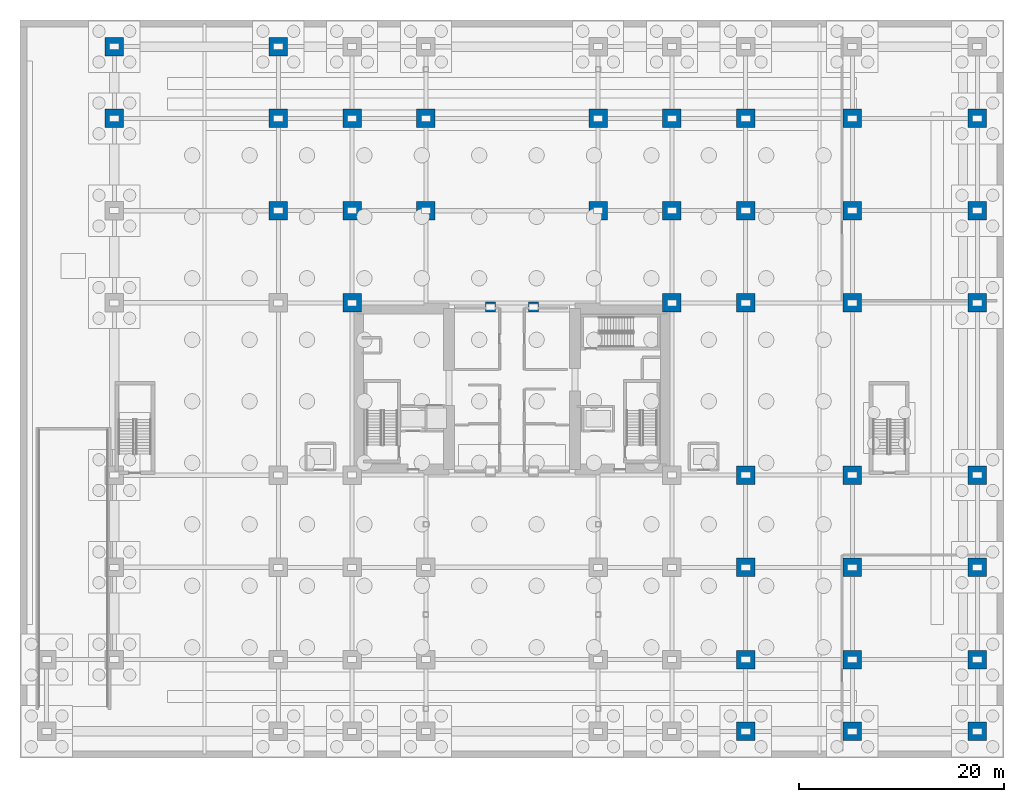
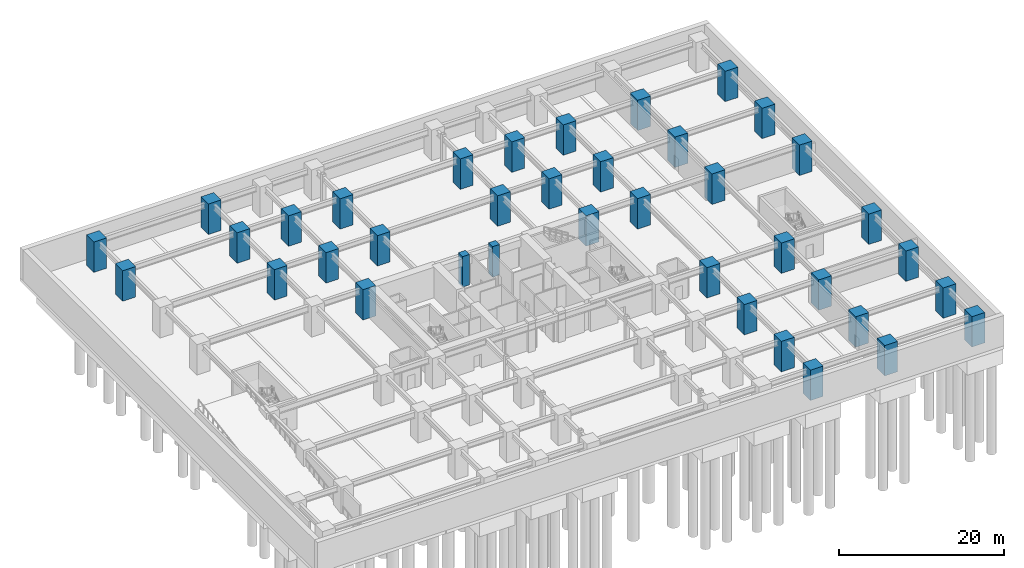
# One storey, part 4 of 23: 38 columns.
"""IFC4 building model written with IfcOpenShell, lengths in metres."""

from ifc_helpers import new_model, si_unit, direction, frame, origin, origin_2d, place, context, subcontext, project, spatial, rectangle, extrude, material, material_profile, profile_set, type_object, element, save


model = new_model("IFC4")

# Units and contexts
model_context = context("Model", 3, precision=1e-05, world=origin(), true_north=direction((0.0, 1.0)))
body_context = subcontext(model_context, "Body", "Model", "MODEL_VIEW")
ifc_project = project(units=[si_unit("LENGTHUNIT", "METRE"), si_unit("AREAUNIT", "SQUARE_METRE"), si_unit("VOLUMEUNIT", "CUBIC_METRE"), si_unit("PLANEANGLEUNIT", "RADIAN"), si_unit("MASSUNIT", "GRAM", prefix="KILO")], contexts=[model_context])

# Site, building, storey
site_placement = place(None, origin())
site = spatial("IfcSite", under=ifc_project, at=site_placement, CompositionType="ELEMENT")
building_placement = place(site_placement, origin())
building = spatial("IfcBuilding", under=site, at=building_placement, Name="Kiyonajd Concourse Tower", CompositionType="ELEMENT")
storey_placement = place(building_placement, frame((0.0, 0.0, -9.0)))
storey = spatial("IfcBuildingStorey", under=building, at=storey_placement, Name="B2", CompositionType="ELEMENT", Elevation=-9.0)

# Columns
ifc_material_1 = material(Name="Concrete C80/95", Category="concrete")
ifc_material_profile_1 = material_profile(ifc_material_1, rectangle(XDim=1.800048828125, YDim=1.800048828125, at=origin_2d()), Name="RC-1800x1800")
ifc_profile_set_1 = profile_set([ifc_material_profile_1], Name="Concrete C80/95")
column_type_1 = type_object("IfcColumnType", Name="CL-MEGA-1800", PredefinedType="COLUMN", material=ifc_profile_set_1)
for number, where, z_axis, x_axis, name in (
    (1, (9.199951171875, 62.39990234375, 0.0), (0.0, 0.0, 1.0), (1.0, 0.0, 0.0), "B2 Podium Mega Column"),
    (2, (9.199951171875, 69.39990234375, 0.0), (0.0, 0.0, 1.0), (1.0, 0.0, 0.0), "B2 Podium Mega Column"),
    (3, (25.199951171875, 53.39990234375, 0.0), (0.0, 0.0, 1.0), (1.0, 0.0, 0.0), "B2 Podium Mega Column"),
    (4, (25.199951171875, 62.39990234375, 0.0), (0.0, 0.0, 1.0), (1.0, 0.0, 0.0), "B2 Podium Mega Column"),
    (5, (25.199951171875, 69.39990234375, 0.0), (0.0, 0.0, 1.0), (1.0, 0.0, 0.0), "B2 Podium Mega Column"),
    (6, (32.39990234375, 44.39990234375, 0.0), (0.0, 0.0, 1.0), (1.0, 0.0, 0.0), "B2 Podium Mega Column"),
    (7, (32.39990234375, 53.39990234375, 0.0), (0.0, 0.0, 1.0), (1.0, 0.0, 0.0), "B2 Podium Mega Column"),
    (8, (32.39990234375, 62.39990234375, 0.0), (0.0, 0.0, 1.0), (1.0, 0.0, 0.0), "B2 Podium Mega Column"),
    (9, (39.60009765625, 53.39990234375, 0.0), (0.0, 0.0, 1.0), (1.0, 0.0, 0.0), "B2 Podium Mega Column"),
    (10, (39.60009765625, 62.39990234375, 0.0), (0.0, 0.0, 1.0), (1.0, 0.0, 0.0), "B2 Podium Mega Column"),
    (11, (56.39990234375, 53.39990234375, 0.0), (0.0, 0.0, 1.0), (1.0, 0.0, 0.0), "B2 Podium Mega Column"),
    (12, (56.39990234375, 62.39990234375, 0.0), (0.0, 0.0, 1.0), (1.0, 0.0, 0.0), "B2 Podium Mega Column"),
    (13, (63.60009765625, 44.39990234375, 0.0), (0.0, 0.0, 1.0), (1.0, 0.0, 0.0), "B2 Podium Mega Column"),
    (14, (63.60009765625, 53.39990234375, 0.0), (0.0, 0.0, 1.0), (1.0, 0.0, 0.0), "B2 Podium Mega Column"),
    (15, (63.60009765625, 62.39990234375, 0.0), (0.0, 0.0, 1.0), (1.0, 0.0, 0.0), "B2 Podium Mega Column"),
    (16, (70.800048828125, 2.60009765625, 0.0), (0.0, 0.0, 1.0), (1.0, 0.0, 0.0), "B2 Podium Mega Column"),
    (17, (70.800048828125, 9.60009765625, 0.0), (0.0, 0.0, 1.0), (1.0, 0.0, 0.0), "B2 Podium Mega Column"),
    (18, (70.800048828125, 18.60009765625, 0.0), (0.0, 0.0, 1.0), (1.0, 0.0, 0.0), "B2 Podium Mega Column"),
    (19, (70.800048828125, 27.60009765625, 0.0), (0.0, 0.0, 1.0), (1.0, 0.0, 0.0), "B2 Podium Mega Column"),
    (20, (70.800048828125, 44.39990234375, 0.0), (0.0, 0.0, 1.0), (1.0, 0.0, 0.0), "B2 Podium Mega Column"),
    (21, (70.800048828125, 53.39990234375, 0.0), (0.0, 0.0, 1.0), (1.0, 0.0, 0.0), "B2 Podium Mega Column"),
    (22, (70.800048828125, 62.39990234375, 0.0), (0.0, 0.0, 1.0), (1.0, 0.0, 0.0), "B2 Podium Mega Column"),
    (23, (81.199951171875, 2.60009765625, 0.0), (0.0, 0.0, 1.0), (1.0, 0.0, 0.0), "B2 Podium Mega Column"),
    (24, (81.199951171875, 9.60009765625, 0.0), (0.0, 0.0, 1.0), (1.0, 0.0, 0.0), "B2 Podium Mega Column"),
    (25, (81.199951171875, 18.60009765625, 0.0), (0.0, 0.0, 1.0), (1.0, 0.0, 0.0), "B2 Podium Mega Column"),
    (26, (81.199951171875, 27.60009765625, 0.0), (0.0, 0.0, 1.0), (1.0, 0.0, 0.0), "B2 Podium Mega Column"),
    (27, (81.199951171875, 44.39990234375, 0.0), (0.0, 0.0, 1.0), (1.0, 0.0, 0.0), "B2 Podium Mega Column"),
    (28, (81.199951171875, 53.39990234375, 0.0), (0.0, 0.0, 1.0), (1.0, 0.0, 0.0), "B2 Podium Mega Column"),
    (29, (81.199951171875, 62.39990234375, 0.0), (0.0, 0.0, 1.0), (1.0, 0.0, 0.0), "B2 Podium Mega Column"),
    (30, (93.39990234375, 2.60009765625, 0.0), (0.0, 0.0, 1.0), (1.0, 0.0, 0.0), "B2 Podium Mega Column"),
    (31, (93.39990234375, 9.60009765625, 0.0), (0.0, 0.0, 1.0), (1.0, 0.0, 0.0), "B2 Podium Mega Column"),
    (32, (93.39990234375, 18.60009765625, 0.0), (0.0, 0.0, 1.0), (1.0, 0.0, 0.0), "B2 Podium Mega Column"),
    (33, (93.39990234375, 27.60009765625, 0.0), (0.0, 0.0, 1.0), (1.0, 0.0, 0.0), "B2 Podium Mega Column"),
    (34, (93.39990234375, 44.39990234375, 0.0), (0.0, 0.0, 1.0), (1.0, 0.0, 0.0), "B2 Podium Mega Column"),
    (35, (93.39990234375, 53.39990234375, 0.0), (0.0, 0.0, 1.0), (1.0, 0.0, 0.0), "B2 Podium Mega Column"),
    (36, (93.39990234375, 62.39990234375, 0.0), (0.0, 0.0, 1.0), (1.0, 0.0, 0.0), "B2 Podium Mega Column"),
):
    element("IfcColumn", number, at=place(storey_placement, frame(where, z_axis=z_axis, x_axis=x_axis)), inside=storey, type_object=column_type_1, Name=name, PredefinedType="COLUMN", context=body_context, shape_type="SweptSolid", body=[
        extrude(rectangle(XDim=1.800048828125, YDim=1.800048828125, at=origin_2d()), origin(), (0.0, 0.0, 1.0), 4.5),
    ])
ifc_material_2 = material(Name="Concrete C60/75", Category="concrete")
ifc_material_profile_2 = material_profile(ifc_material_2, rectangle(XDim=1.0, YDim=1.0, at=origin_2d()), Name="RC-1000x1000")
ifc_profile_set_2 = profile_set([ifc_material_profile_2], Name="Concrete C60/75")
column_type_2 = type_object("IfcColumnType", Name="CL-TUBE-1000", PredefinedType="COLUMN", material=ifc_profile_set_2)
for number, where, z_axis, x_axis, name in (
    (37, (45.89990234375, 44.0, 0.0), (0.0, 0.0, 1.0), (1.0, 0.0, 0.0), "B2 Core Tie Column North West"),
    (38, (50.10009765625, 44.0, 0.0), (0.0, 0.0, 1.0), (1.0, 0.0, 0.0), "B2 Core Tie Column North East"),
):
    element("IfcColumn", number, at=place(storey_placement, frame(where, z_axis=z_axis, x_axis=x_axis)), inside=storey, type_object=column_type_2, Name=name, PredefinedType="COLUMN", context=body_context, shape_type="SweptSolid", body=[
        extrude(rectangle(XDim=1.0, YDim=1.0, at=origin_2d()), origin(), (0.0, 0.0, 1.0), 4.5),
    ])

save(model, "model.ifc")
